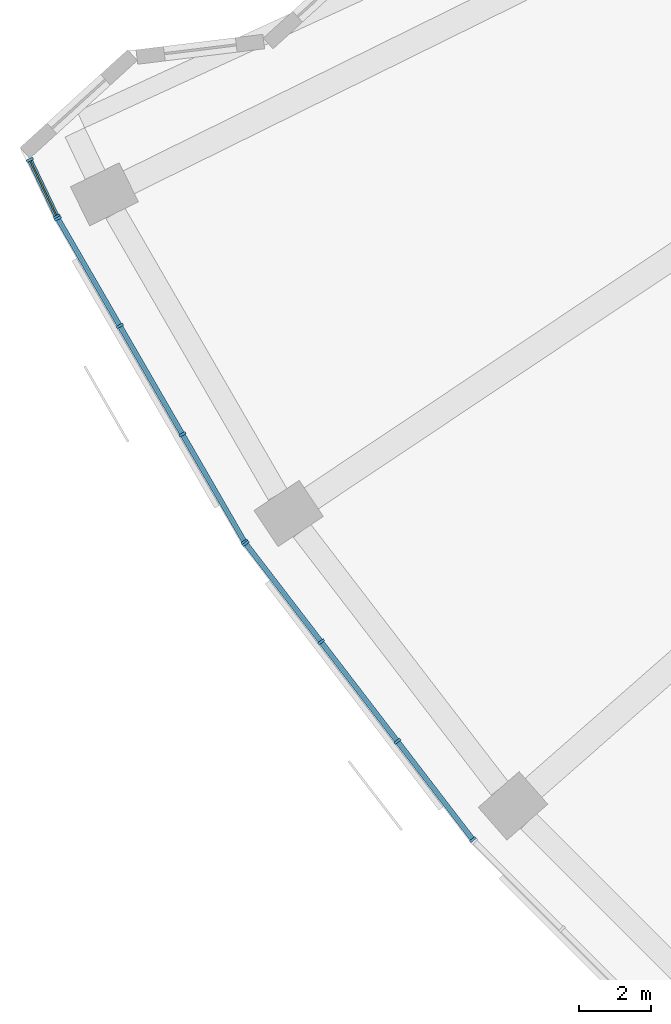
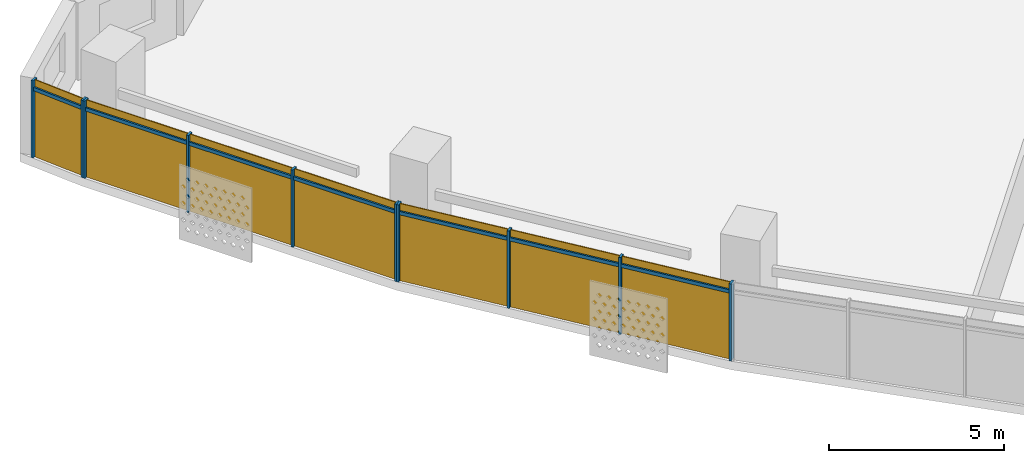
# One storey, part 20 of 29: 17 members, 3 curtain walls.
"""IFC4 building model written with IfcOpenShell, lengths in metres."""

from ifc_helpers import new_model, si_unit, direction, frame, origin, origin_2d, place, context, subcontext, project, spatial, rectangle, extrude, material, material_profile, profile_set, type_object, element, aggregate, save


model = new_model("IFC4")

# Units and contexts
model_context = context("Model", 3, precision=1e-05, world=origin(), true_north=direction((0.0, 1.0)))
body_context = subcontext(model_context, "Body", "Model", "MODEL_VIEW")
ifc_project = project(units=[si_unit("LENGTHUNIT", "METRE"), si_unit("AREAUNIT", "SQUARE_METRE"), si_unit("VOLUMEUNIT", "CUBIC_METRE"), si_unit("PLANEANGLEUNIT", "RADIAN"), si_unit("MASSUNIT", "GRAM", prefix="KILO")], contexts=[model_context])

# Member
ifc_material = material(Name="Aluminium 6063-T6 anodised", Category="aluminium")
ifc_material_profile_1 = material_profile(ifc_material, rectangle(XDim=0.199951171875, YDim=0.070068359375, at=origin_2d()))
ifc_profile_set_1 = profile_set([ifc_material_profile_1], Name="Aluminium 6063-T6 anodised")
member_type_1 = type_object("IfcMemberType", Name="Mullion 70 x 200 aluminium", PredefinedType="MULLION", material=ifc_profile_set_1)
site_placement = place(None, origin())
building_placement = place(site_placement, origin())
storey_placement = place(building_placement, frame((0.0, 0.0, 106.300048828125)))
member_1_placement = place(storey_placement, frame((-71.790771484375, -33.4365234375, 0.0), z_axis=(0.0, 0.0, 1.0), x_axis=(0.902882478777, 0.429887461457, 0.0)))
member_1 = element("IfcMember", 1, at=member_1_placement, type_object=member_type_1, Name="e-cw1-L23-out00/M00", PredefinedType="MULLION", context=body_context, shape_type="SweptSolid", body=[
    extrude(rectangle(XDim=0.199951171875, YDim=0.070068359375, at=origin_2d()), origin(), (0.0, 0.0, 1.0), 2.699951171875),
])

member_2_placement = place(storey_placement, frame((-71.046875, -34.9990234375, 0.0), z_axis=(0.0, 0.0, 1.0), x_axis=(0.902882478777, 0.429887461457, 0.0)))
member_2 = element("IfcMember", 2, at=member_2_placement, type_object=member_type_1, Name="e-cw1-L23-out00/M01", PredefinedType="MULLION", context=body_context, shape_type="SweptSolid", body=[
    extrude(rectangle(XDim=0.199951171875, YDim=0.070068359375, at=origin_2d()), origin(), (0.0, 0.0, 1.0), 2.699951171875),
])

member_3_placement = place(storey_placement, frame((-71.017822265625, -35.0537109375, 0.0), z_axis=(0.0, 0.0, 1.0), x_axis=(0.866025403784, 0.5, 0.0)))
member_3 = element("IfcMember", 3, at=member_3_placement, type_object=member_type_1, Name="e-cw1-L23-out01/M00", PredefinedType="MULLION", context=body_context, shape_type="SweptSolid", body=[
    extrude(rectangle(XDim=0.199951171875, YDim=0.070068359375, at=origin_2d()), origin(), (0.0, 0.0, 1.0), 2.699951171875),
])

member_4_placement = place(storey_placement, frame((-69.306640625, -38.017822265625, 0.0), z_axis=(0.0, 0.0, 1.0), x_axis=(0.866025403784, 0.5, 0.0)))
member_4 = element("IfcMember", 4, at=member_4_placement, type_object=member_type_1, Name="e-cw1-L23-out01/M01", PredefinedType="MULLION", context=body_context, shape_type="SweptSolid", body=[
    extrude(rectangle(XDim=0.199951171875, YDim=0.070068359375, at=origin_2d()), origin(), (0.0, 0.0, 1.0), 2.699951171875),
])

member_5_placement = place(storey_placement, frame((-67.577880859375, -41.01220703125, 0.0), z_axis=(0.0, 0.0, 1.0), x_axis=(0.866025403784, 0.5, 0.0)))
member_5 = element("IfcMember", 5, at=member_5_placement, type_object=member_type_1, Name="e-cw1-L23-out01/M02", PredefinedType="MULLION", context=body_context, shape_type="SweptSolid", body=[
    extrude(rectangle(XDim=0.199951171875, YDim=0.070068359375, at=origin_2d()), origin(), (0.0, 0.0, 1.0), 2.699951171875),
])

member_6_placement = place(storey_placement, frame((-65.866455078125, -43.976318359375, 0.0), z_axis=(0.0, 0.0, 1.0), x_axis=(0.866025403784, 0.5, 0.0)))
member_6 = element("IfcMember", 6, at=member_6_placement, type_object=member_type_1, Name="e-cw1-L23-out01/M03", PredefinedType="MULLION", context=body_context, shape_type="SweptSolid", body=[
    extrude(rectangle(XDim=0.199951171875, YDim=0.070068359375, at=origin_2d()), origin(), (0.0, 0.0, 1.0), 2.699951171875),
])

member_7_placement = place(storey_placement, frame((-65.8349609375, -44.023681640625, 0.0), z_axis=(0.0, 0.0, 1.0), x_axis=(0.793353340291, 0.608761429009, 0.0)))
member_7 = element("IfcMember", 7, at=member_7_placement, type_object=member_type_1, Name="e-cw1-L23-out02/M00", PredefinedType="MULLION", context=body_context, shape_type="SweptSolid", body=[
    extrude(rectangle(XDim=0.199951171875, YDim=0.070068359375, at=origin_2d()), origin(), (0.0, 0.0, 1.0), 2.699951171875),
])

member_8_placement = place(storey_placement, frame((-63.751220703125, -46.739013671875, 0.0), z_axis=(0.0, 0.0, 1.0), x_axis=(0.793353340291, 0.608761429009, 0.0)))
member_8 = element("IfcMember", 8, at=member_8_placement, type_object=member_type_1, Name="e-cw1-L23-out02/M01", PredefinedType="MULLION", context=body_context, shape_type="SweptSolid", body=[
    extrude(rectangle(XDim=0.199951171875, YDim=0.070068359375, at=origin_2d()), origin(), (0.0, 0.0, 1.0), 2.699951171875),
])

member_9_placement = place(storey_placement, frame((-61.646484375, -49.482177734375, 0.0), z_axis=(0.0, 0.0, 1.0), x_axis=(0.793353340291, 0.608761429009, 0.0)))
member_9 = element("IfcMember", 9, at=member_9_placement, type_object=member_type_1, Name="e-cw1-L23-out02/M02", PredefinedType="MULLION", context=body_context, shape_type="SweptSolid", body=[
    extrude(rectangle(XDim=0.199951171875, YDim=0.070068359375, at=origin_2d()), origin(), (0.0, 0.0, 1.0), 2.699951171875),
])

member_10_placement = place(storey_placement, frame((-59.56298828125, -52.197509765625, 0.0), z_axis=(0.0, 0.0, 1.0), x_axis=(0.793353340291, 0.608761429009, 0.0)))
member_10 = element("IfcMember", 10, at=member_10_placement, type_object=member_type_1, Name="e-cw1-L23-out02/M03", PredefinedType="MULLION", context=body_context, shape_type="SweptSolid", body=[
    extrude(rectangle(XDim=0.199951171875, YDim=0.070068359375, at=origin_2d()), origin(), (0.0, 0.0, 1.0), 2.699951171875),
])

ifc_material_profile_2 = material_profile(ifc_material, rectangle(XDim=0.139892578125, YDim=0.1201171875, at=origin_2d()))
ifc_profile_set_2 = profile_set([ifc_material_profile_2], Name="Aluminium 6063-T6 anodised")
member_type_2 = type_object("IfcMemberType", Name="Transom 120 x 140 aluminium", PredefinedType="USERDEFINED", material=ifc_profile_set_2)
member_11_placement = place(storey_placement, frame((-71.775634765625, -33.468017578125, 2.39990234375), z_axis=(0.429899337802, -0.902876824023, 0.0), x_axis=(0.902876824023, 0.429899337802, 0.0)))
member_11 = element("IfcMember", 11, at=member_11_placement, type_object=member_type_2, Name="e-cw1-L23-out00/T00", ObjectType="TRANSOM", PredefinedType="USERDEFINED", context=body_context, shape_type="SweptSolid", body=[
    extrude(rectangle(XDim=0.139892578125, YDim=0.1201171875, at=origin_2d()), origin(), (0.0, 0.0, 1.0), 1.66064453125),
])

member_12_placement = place(storey_placement, frame((-71.00048828125, -35.084228515625, 2.39990234375), z_axis=(0.50006283963, -0.865989120267, 0.0), x_axis=(0.865989120267, 0.50006283963, 0.0)))
member_12 = element("IfcMember", 12, at=member_12_placement, type_object=member_type_2, Name="e-cw1-L23-out01/T00", ObjectType="TRANSOM", PredefinedType="USERDEFINED", context=body_context, shape_type="SweptSolid", body=[
    extrude(rectangle(XDim=0.139892578125, YDim=0.1201171875, at=origin_2d()), origin(), (0.0, 0.0, 1.0), 3.3525390625),
])

member_13_placement = place(storey_placement, frame((-69.2890625, -38.048095703125, 2.39990234375), z_axis=(0.499999017107, -0.866025971257, 0.0), x_axis=(0.866025971257, 0.499999017107, 0.0)))
member_13 = element("IfcMember", 13, at=member_13_placement, type_object=member_type_2, Name="e-cw1-L23-out01/T01", ObjectType="TRANSOM", PredefinedType="USERDEFINED", context=body_context, shape_type="SweptSolid", body=[
    extrude(rectangle(XDim=0.139892578125, YDim=0.1201171875, at=origin_2d()), origin(), (0.0, 0.0, 1.0), 3.3876953125),
])

member_14_placement = place(storey_placement, frame((-67.560302734375, -41.042724609375, 2.39990234375), z_axis=(0.50000822536, -0.866020654818, 0.0), x_axis=(0.866020654818, 0.50000822536, 0.0)))
member_14 = element("IfcMember", 14, at=member_14_placement, type_object=member_type_2, Name="e-cw1-L23-out01/T02", ObjectType="TRANSOM", PredefinedType="USERDEFINED", context=body_context, shape_type="SweptSolid", body=[
    extrude(rectangle(XDim=0.139892578125, YDim=0.1201171875, at=origin_2d()), origin(), (0.0, 0.0, 1.0), 3.3525390625),
])

member_15_placement = place(storey_placement, frame((-65.8134765625, -44.05126953125, 2.39990234375), z_axis=(0.608714331426, -0.793389477316, 0.0), x_axis=(0.793389477316, 0.608714331426, 0.0)))
member_15 = element("IfcMember", 15, at=member_15_placement, type_object=member_type_2, Name="e-cw1-L23-out02/T00", ObjectType="TRANSOM", PredefinedType="USERDEFINED", context=body_context, shape_type="SweptSolid", body=[
    extrude(rectangle(XDim=0.139892578125, YDim=0.1201171875, at=origin_2d()), origin(), (0.0, 0.0, 1.0), 3.3525390625),
])

member_16_placement = place(storey_placement, frame((-63.72998046875, -46.766845703125, 2.39990234375), z_axis=(0.608773427772, -0.793344133173, 0.0), x_axis=(0.793344133173, 0.608773427772, 0.0)))
member_16 = element("IfcMember", 16, at=member_16_placement, type_object=member_type_2, Name="e-cw1-L23-out02/T01", ObjectType="TRANSOM", PredefinedType="USERDEFINED", context=body_context, shape_type="SweptSolid", body=[
    extrude(rectangle(XDim=0.139892578125, YDim=0.1201171875, at=origin_2d()), origin(), (0.0, 0.0, 1.0), 3.387451171875),
])

member_17_placement = place(storey_placement, frame((-61.625244140625, -49.509765625, 2.39990234375), z_axis=(0.608760167055, -0.793354308621, 0.0), x_axis=(0.793354308621, 0.608760167055, 0.0)))
member_17 = element("IfcMember", 17, at=member_17_placement, type_object=member_type_2, Name="e-cw1-L23-out02/T02", ObjectType="TRANSOM", PredefinedType="USERDEFINED", context=body_context, shape_type="SweptSolid", body=[
    extrude(rectangle(XDim=0.139892578125, YDim=0.1201171875, at=origin_2d()), origin(), (0.0, 0.0, 1.0), 3.352783203125),
])

# Site, building, storey
site = spatial("IfcSite", under=ifc_project, at=site_placement, CompositionType="ELEMENT")
building = spatial("IfcBuilding", under=site, at=building_placement, Name="Qamariyya Broadcast Tower", CompositionType="ELEMENT")
storey = spatial("IfcBuildingStorey", under=building, at=storey_placement, Name="L23", CompositionType="ELEMENT", Elevation=106.300048828125)

# Curtain wall
curtain_wall_type = type_object("IfcCurtainWallType", Name="Unitised curtain wall, anodised aluminium", PredefinedType="NOTDEFINED", material=ifc_material)
curtain_wall_1_placement = place(storey_placement, origin())
curtain_wall_1 = element("IfcCurtainWall", 18, at=curtain_wall_1_placement, inside=storey, type_object=curtain_wall_type, Name="e-cw1-L23-out00", PredefinedType="NOTDEFINED", context=body_context, shape_type="SweptSolid", body=[
    extrude(rectangle(XDim=1.66064453125, YDim=0.031982421875, at=origin_2d()), frame((-71.418701171875, -34.2177734375, 0.0), x_axis=(0.429828311552, -0.902910639315, 0.0)), (0.0, 0.0, 1.0), 2.340087890625),
    extrude(rectangle(XDim=1.66064453125, YDim=0.031982421875, at=origin_2d()), frame((-71.418701171875, -34.2177734375, 2.4599609375), x_axis=(0.429828311552, -0.902910639315, 0.0)), (0.0, 0.0, 1.0), 0.239990234375),
])

aggregate(curtain_wall_1, [member_1, member_2, member_11])

curtain_wall_2_placement = place(storey_placement, origin())
curtain_wall_2 = element("IfcCurtainWall", 19, at=curtain_wall_2_placement, inside=storey, type_object=curtain_wall_type, Name="e-cw1-L23-out01", PredefinedType="NOTDEFINED", context=body_context, shape_type="SweptSolid", body=[
    extrude(rectangle(XDim=3.352783203125, YDim=0.031982421875, at=origin_2d()), frame((-70.162109375, -36.535888671875, 0.0), x_axis=(0.499996813733, -0.866027243369, 0.0)), (0.0, 0.0, 1.0), 2.340087890625),
    extrude(rectangle(XDim=3.352783203125, YDim=0.031982421875, at=origin_2d()), frame((-70.162109375, -36.535888671875, 2.4599609375), x_axis=(0.499996813733, -0.866027243369, 0.0)), (0.0, 0.0, 1.0), 0.239990234375),
    extrude(rectangle(XDim=3.3876953125, YDim=0.031982421875, at=origin_2d()), frame((-68.442138671875, -39.51513671875, 0.0), x_axis=(0.499996813733, -0.866027243369, 0.0)), (0.0, 0.0, 1.0), 2.340087890625),
    extrude(rectangle(XDim=3.3876953125, YDim=0.031982421875, at=origin_2d()), frame((-68.442138671875, -39.51513671875, 2.4599609375), x_axis=(0.499996813733, -0.866027243369, 0.0)), (0.0, 0.0, 1.0), 0.239990234375),
    extrude(rectangle(XDim=3.352783203125, YDim=0.031982421875, at=origin_2d()), frame((-66.72216796875, -42.494384765625, 0.0), x_axis=(0.499996813733, -0.866027243369, 0.0)), (0.0, 0.0, 1.0), 2.340087890625),
    extrude(rectangle(XDim=3.352783203125, YDim=0.031982421875, at=origin_2d()), frame((-66.72216796875, -42.494384765625, 2.4599609375), x_axis=(0.499996813733, -0.866027243369, 0.0)), (0.0, 0.0, 1.0), 0.239990234375),
])

aggregate(curtain_wall_2, [member_3, member_4, member_5, member_6, member_12, member_13, member_14])

curtain_wall_3_placement = place(storey_placement, origin())
curtain_wall_3 = element("IfcCurtainWall", 20, at=curtain_wall_3_placement, inside=storey, type_object=curtain_wall_type, Name="e-cw1-L23-out02", PredefinedType="NOTDEFINED", context=body_context, shape_type="SweptSolid", body=[
    extrude(rectangle(XDim=3.352783203125, YDim=0.031982421875, at=origin_2d()), frame((-64.793212890625, -45.38134765625, 0.0), x_axis=(0.608760568165, -0.793354000839, 0.0)), (0.0, 0.0, 1.0), 2.340087890625),
    extrude(rectangle(XDim=3.352783203125, YDim=0.031982421875, at=origin_2d()), frame((-64.793212890625, -45.38134765625, 2.4599609375), x_axis=(0.608760568165, -0.793354000839, 0.0)), (0.0, 0.0, 1.0), 0.239990234375),
    extrude(rectangle(XDim=3.3876953125, YDim=0.031982421875, at=origin_2d()), frame((-62.69873046875, -48.110595703125, 0.0), x_axis=(0.608760568165, -0.793354000839, 0.0)), (0.0, 0.0, 1.0), 2.340087890625),
    extrude(rectangle(XDim=3.3876953125, YDim=0.031982421875, at=origin_2d()), frame((-62.69873046875, -48.110595703125, 2.4599609375), x_axis=(0.608760568165, -0.793354000839, 0.0)), (0.0, 0.0, 1.0), 0.239990234375),
    extrude(rectangle(XDim=3.352783203125, YDim=0.031982421875, at=origin_2d()), frame((-60.6044921875, -50.83984375, 0.0), x_axis=(0.608760568165, -0.793354000839, 0.0)), (0.0, 0.0, 1.0), 2.340087890625),
    extrude(rectangle(XDim=3.352783203125, YDim=0.031982421875, at=origin_2d()), frame((-60.6044921875, -50.83984375, 2.4599609375), x_axis=(0.608760568165, -0.793354000839, 0.0)), (0.0, 0.0, 1.0), 0.239990234375),
])

aggregate(curtain_wall_3, [member_7, member_8, member_9, member_10, member_15, member_16, member_17])

save(model, "model.ifc")
